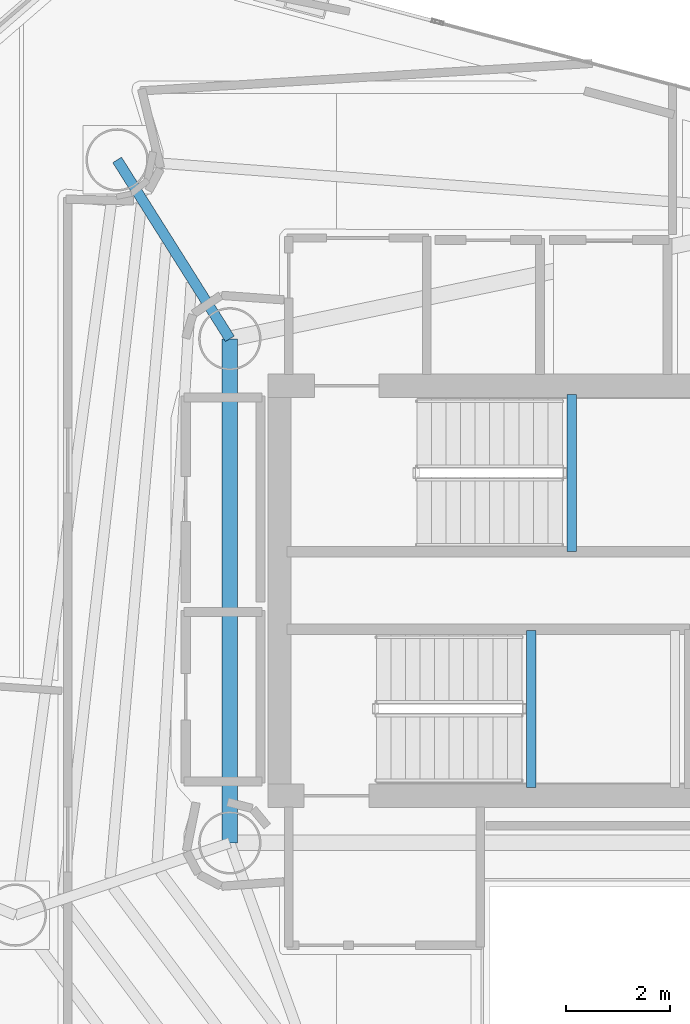
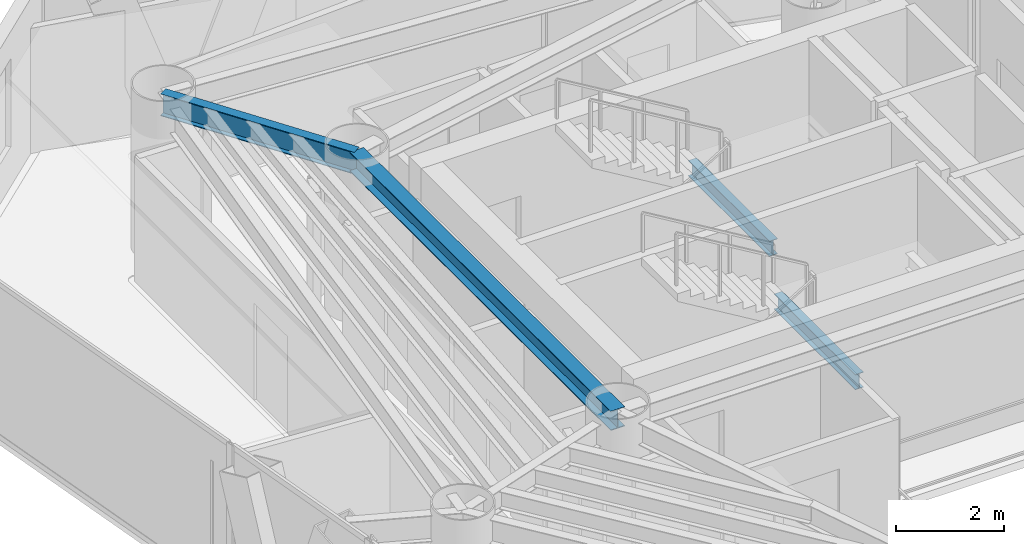
# One storey, part 8 of 21: 4 beams.
"""IFC4 building model written with IfcOpenShell, lengths in metres."""

from ifc_helpers import new_model, si_unit, direction, frame, origin, origin_2d, place, context, subcontext, project, spatial, i_section, extrude, material, material_profile, profile_set, type_object, element, save


model = new_model("IFC4")

# Units and contexts
model_context = context("Model", 3, precision=1e-05, world=origin(), true_north=direction((0.0, 1.0)))
body_context = subcontext(model_context, "Body", "Model", "MODEL_VIEW")
ifc_project = project(units=[si_unit("LENGTHUNIT", "METRE"), si_unit("AREAUNIT", "SQUARE_METRE"), si_unit("VOLUMEUNIT", "CUBIC_METRE"), si_unit("PLANEANGLEUNIT", "RADIAN"), si_unit("MASSUNIT", "GRAM", prefix="KILO")], contexts=[model_context])

# Site, building, storey
site_placement = place(None, origin())
site = spatial("IfcSite", under=ifc_project, at=site_placement, CompositionType="ELEMENT")
building_placement = place(site_placement, origin())
building = spatial("IfcBuilding", under=site, at=building_placement, Name="Qianvela Tower", CompositionType="ELEMENT")
storey_placement = place(building_placement, frame((0.0, 0.0, 189.199951171875)))
storey = spatial("IfcBuildingStorey", under=building, at=storey_placement, Name="L48", CompositionType="ELEMENT", Elevation=189.199951171875)

# Beams
ifc_material_1 = material(Name="Steel Q355B", Category="steel")
ifc_material_profile_1 = material_profile(ifc_material_1, i_section(OverallWidth=0.300048828125, OverallDepth=0.43994140625, WebThickness=0.010986328125, FlangeThickness=0.01806640625, at=origin_2d()), Name="HM440x300x11x18")
ifc_profile_set_1 = profile_set([ifc_material_profile_1], Name="Steel Q355B")
beam_type_1 = type_object("IfcBeamType", Name="BM-HM440-COLL", PredefinedType="BEAM", material=ifc_profile_set_1)
beam_1_placement = place(storey_placement, frame((28.60009765625, 33.550048828125, 3.298095703125), z_axis=(0.0, -1.0, 0.0), x_axis=(1.0, 0.0, 0.0)))
element("IfcBeam", 1, at=beam_1_placement, inside=storey, type_object=beam_type_1, Name="L48 Core Ring Collector Girder CC2", PredefinedType="BEAM", context=body_context, shape_type="SweptSolid", body=[
    extrude(i_section(OverallWidth=0.300048828125, OverallDepth=0.43994140625, WebThickness=0.010986328125, FlangeThickness=0.01806640625, at=origin_2d()), origin(), (0.0, 0.0, 1.0), 9.699951171875),
])
ifc_material_2 = material(Name="Steel Q355B", Category="steel")
ifc_material_profile_2 = material_profile(ifc_material_2, i_section(OverallWidth=0.175048828125, OverallDepth=0.35009765625, WebThickness=0.007080078125, FlangeThickness=0.010986328125, at=origin_2d()), Name="HN350x175x7x11")
ifc_profile_set_2 = profile_set([ifc_material_profile_2], Name="Steel Q355B")
beam_type_2 = type_object("IfcBeamType", Name="BM-HN350-JOIST", PredefinedType="JOIST", material=ifc_profile_set_2)
for number, where, z_axis, x_axis, name in (
    (2, (35.179931640625, 29.4599609375, 1.47509765625), (0.0, 1.0, 0.0), (-1.0, 0.0, 0.0), "L48 Stair ST-1 Landing Support Beam 1.1"),
    (3, (34.39990234375, 24.919921875, 1.47509765625), (0.0, 1.0, 0.0), (-1.0, 0.0, 0.0), "L48 Stair ST-2 Landing Support Beam 1.1"),
):
    element("IfcBeam", number, at=place(storey_placement, frame(where, z_axis=z_axis, x_axis=x_axis)), inside=storey, type_object=beam_type_2, Name=name, PredefinedType="JOIST", context=body_context, shape_type="SweptSolid", body=[
        extrude(i_section(OverallWidth=0.175048828125, OverallDepth=0.35009765625, WebThickness=0.007080078125, FlangeThickness=0.010986328125, at=origin_2d()), origin(), (0.0, 0.0, 1.0), 3.02001953125),
    ])
ifc_material_3 = material(Name="Steel Q355B", Category="steel")
ifc_material_profile_3 = material_profile(ifc_material_3, i_section(OverallWidth=0.199951171875, OverallDepth=0.5, WebThickness=0.010009765625, FlangeThickness=0.01611328125, at=origin_2d()), Name="HN500x200x10x16")
ifc_profile_set_3 = profile_set([ifc_material_profile_3], Name="Steel Q355B")
beam_type_3 = type_object("IfcBeamType", Name="BM-HN500-GIRD", PredefinedType="BEAM", material=ifc_profile_set_3)
beam_2_placement = place(storey_placement, frame((28.60009765625, 33.550048828125, 3.26806640625), z_axis=(-0.533177693809, 0.846003278258, 0.0), x_axis=(-0.846003278258, -0.533177693809, 0.0)))
element("IfcBeam", 4, at=beam_2_placement, inside=storey, type_object=beam_type_3, Name="L48 Radial Primary Floor Girder 3", PredefinedType="BEAM", context=body_context, shape_type="SweptSolid", body=[
    extrude(i_section(OverallWidth=0.199951171875, OverallDepth=0.5, WebThickness=0.010009765625, FlangeThickness=0.01611328125, at=origin_2d()), origin(), (0.0, 0.0, 1.0), 4.068359375),
])

save(model, "model.ifc")
